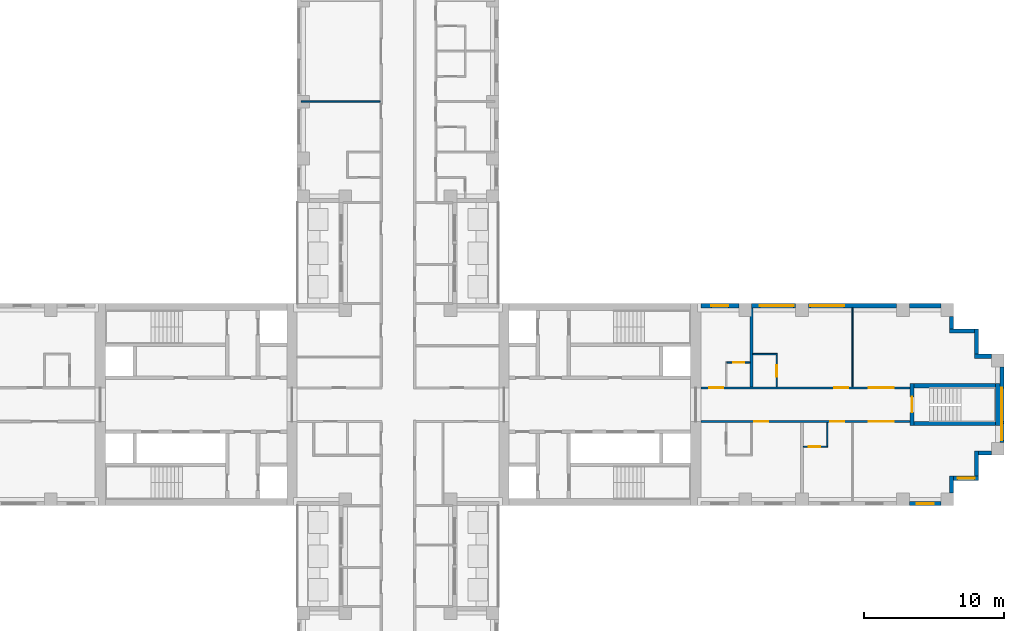
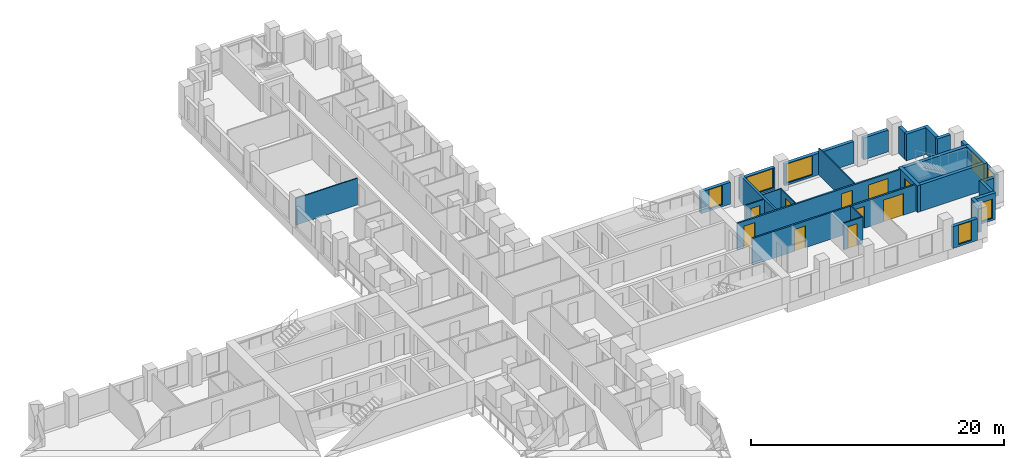
# One storey, part 10 of 15: 28 walls, 10 doors, 7 windows, 17 openings.
"""IFC4 building model written with IfcOpenShell, lengths in metres."""

from ifc_helpers import new_model, si_unit, direction, frame, frame_2d, origin, place, context, subcontext, project, spatial, rectangle, extrude, material, layer, layer_set, type_object, element, fill, save


model = new_model("IFC4")

# Units and contexts
model_context = context("Model", 3, precision=1e-05, world=origin(), true_north=direction((0.0, 1.0)))
body_context = subcontext(model_context, "Body", "Model", "MODEL_VIEW")
ifc_project = project(units=[si_unit("LENGTHUNIT", "METRE"), si_unit("AREAUNIT", "SQUARE_METRE"), si_unit("VOLUMEUNIT", "CUBIC_METRE"), si_unit("PLANEANGLEUNIT", "RADIAN"), si_unit("MASSUNIT", "GRAM", prefix="KILO")], contexts=[model_context])

# Site, building, storey
site_placement = place(None, origin())
site = spatial("IfcSite", under=ifc_project, at=site_placement, CompositionType="ELEMENT")
building_placement = place(site_placement, origin())
building = spatial("IfcBuilding", under=site, at=building_placement, Name="Fustian Cross Tower", CompositionType="ELEMENT")
storey_placement = place(building_placement, frame((0.0, 0.0, 41.699951171875)))
storey = spatial("IfcBuildingStorey", under=building, at=storey_placement, Name="L12", CompositionType="ELEMENT", Elevation=41.699951171875)

# Wall, openings, doors
ifc_material_1 = material(Name="Plasterboard on steel stud", Category="steel")
ifc_layer_1 = layer(ifc_material_1, 0.14990234375)
ifc_layer_set_1 = layer_set([ifc_layer_1], Name="Plasterboard on steel stud")
wall_type_1 = type_object("IfcWallType", Name="COMPARTMENT WALL 150 EI 60", PredefinedType="PARTITIONING", material=ifc_layer_set_1)
wall_1_placement = place(storey_placement, frame((21.60009765625, -1.199951171875, 0.0), z_axis=(0.0, 0.0, 1.0), x_axis=(1.0, 0.0, 0.0)))
wall_1 = element("IfcWall", 1, at=wall_1_placement, inside=storey, type_object=wall_type_1, Name="Partition 80", PredefinedType="PARTITIONING", context=body_context, shape_type="SweptSolid", body=[
    extrude(rectangle(XDim=14.89990234375, YDim=0.14990234375, at=frame_2d((7.449951171875, 0.0))), origin(), (0.0, 0.0, 1.0), 2.574951171875),
])
opening_1_placement = place(wall_1_placement, frame((3.800048828125, 0.0, 0.0)))
opening_1 = element("IfcOpeningElement", 2, at=opening_1_placement, cuts=wall_1, Name="Opening D07016", PredefinedType="OPENING", context=body_context, shape_type="SweptSolid", body=[
    extrude(rectangle(XDim=1.0, YDim=2.10009765625, at=frame_2d((0.5, 1.050048828125))), frame((0.0, 0.0849609375, 0.0), z_axis=(0.0, -1.0, 0.0), x_axis=(1.0, 0.0, 0.0)), (0.0, 0.0, 1.0), 0.169921875),
])
opening_2_placement = place(wall_1_placement, frame((9.199951171875, 0.0, 0.0)))
opening_2 = element("IfcOpeningElement", 3, at=opening_2_placement, cuts=wall_1, Name="Opening D07018", PredefinedType="OPENING", context=body_context, shape_type="SweptSolid", body=[
    extrude(rectangle(XDim=1.0, YDim=2.10009765625, at=frame_2d((0.5, 1.050048828125))), frame((0.0, 0.0849609375, 0.0), z_axis=(0.0, -1.0, 0.0), x_axis=(1.0, 0.0, 0.0)), (0.0, 0.0, 1.0), 0.169921875),
])
opening_3_placement = place(wall_1_placement, frame((11.949951171875, 0.0, 0.0)))
opening_3 = element("IfcOpeningElement", 4, at=opening_3_placement, cuts=wall_1, Name="Opening D07019", PredefinedType="OPENING", context=body_context, shape_type="SweptSolid", body=[
    extrude(rectangle(XDim=1.800048828125, YDim=2.10009765625, at=frame_2d((0.89990234375, 1.050048828125))), frame((0.0, 0.0849609375, 0.0), z_axis=(0.0, -1.0, 0.0), x_axis=(1.0, 0.0, 0.0)), (0.0, 0.0, 1.0), 0.169921875),
])
ifc_material_2 = material(Name="Timber fire door set", Category="wood")
door_type_1 = type_object("IfcDoorType", Name="FIRE DOUBLE DOOR 1800 FD30S", OperationType="DOUBLE_DOOR_DOUBLE_SWING", PredefinedType="DOOR", material=ifc_material_2)
door_1_placement = place(opening_3_placement, origin())
door_1 = element("IfcDoor", 5, at=door_1_placement, inside=storey, type_object=door_type_1, Name="Door D07019", OperationType="DOUBLE_DOOR_DOUBLE_SWING", OverallHeight=2.10009765625, OverallWidth=1.800048828125, PredefinedType="DOOR", context=body_context, shape_type="SweptSolid", body=[
    extrude(rectangle(XDim=1.800048828125, YDim=2.10009765625, at=frame_2d((0.89990234375, 1.050048828125))), frame((0.0, 0.02490234375, 0.0), z_axis=(0.0, -1.0, 0.0), x_axis=(1.0, 0.0, 0.0)), (0.0, 0.0, 1.0), 0.050048828125),
])
fill(opening_3, door_1)
ifc_material_3 = material(Name="Timber fire door set", Category="wood")
door_type_2 = type_object("IfcDoorType", Name="FIRE SWING DOOR 1000 FD30S", OperationType="SINGLE_SWING_LEFT", PredefinedType="DOOR", material=ifc_material_3)
door_2_placement = place(opening_1_placement, frame((1.0, 0.0, 0.0), z_axis=(0.0, 0.0, 1.0), x_axis=(-1.0, 0.0, 0.0)))
door_2 = element("IfcDoor", 6, at=door_2_placement, inside=storey, type_object=door_type_2, Name="Door D07016", OperationType="SINGLE_SWING_RIGHT", OverallHeight=2.10009765625, OverallWidth=1.0, PredefinedType="DOOR", context=body_context, shape_type="SweptSolid", body=[
    extrude(rectangle(XDim=1.0, YDim=2.10009765625, at=frame_2d((0.5, 1.050048828125))), frame((0.0, 0.02490234375, 0.0), z_axis=(0.0, -1.0, 0.0), x_axis=(1.0, 0.0, 0.0)), (0.0, 0.0, 1.0), 0.050048828125),
])
fill(opening_1, door_2)
door_3_placement = place(opening_2_placement, frame((1.0, 0.0, 0.0), z_axis=(0.0, 0.0, 1.0), x_axis=(-1.0, 0.0, 0.0)))
door_3 = element("IfcDoor", 7, at=door_3_placement, inside=storey, type_object=door_type_2, Name="Door D07018", OperationType="SINGLE_SWING_RIGHT", OverallHeight=2.10009765625, OverallWidth=1.0, PredefinedType="DOOR", context=body_context, shape_type="SweptSolid", body=[
    extrude(rectangle(XDim=1.0, YDim=2.10009765625, at=frame_2d((0.5, 1.050048828125))), frame((0.0, 0.02490234375, 0.0), z_axis=(0.0, -1.0, 0.0), x_axis=(1.0, 0.0, 0.0)), (0.0, 0.0, 1.0), 0.050048828125),
])
fill(opening_2, door_3)

wall_2_placement = place(storey_placement, frame((21.60009765625, 1.199951171875, 0.0), z_axis=(0.0, 0.0, 1.0), x_axis=(1.0, 0.0, 0.0)))
wall_2 = element("IfcWall", 8, at=wall_2_placement, inside=storey, type_object=wall_type_1, Name="Partition 81", PredefinedType="PARTITIONING", context=body_context, shape_type="SweptSolid", body=[
    extrude(rectangle(XDim=14.89990234375, YDim=0.14990234375, at=frame_2d((7.449951171875, 0.0))), origin(), (0.0, 0.0, 1.0), 2.574951171875),
])
opening_4_placement = place(wall_2_placement, frame((0.60009765625, 0.0, 0.0)))
opening_4 = element("IfcOpeningElement", 9, at=opening_4_placement, cuts=wall_2, Name="Opening D07011", PredefinedType="OPENING", context=body_context, shape_type="SweptSolid", body=[
    extrude(rectangle(XDim=1.0, YDim=2.10009765625, at=frame_2d((0.5, 1.050048828125))), frame((0.0, 0.0849609375, 0.0), z_axis=(0.0, -1.0, 0.0), x_axis=(1.0, 0.0, 0.0)), (0.0, 0.0, 1.0), 0.169921875),
])
opening_5_placement = place(wall_2_placement, frame((9.489990234375, 0.0, 0.0)))
opening_5 = element("IfcOpeningElement", 10, at=opening_5_placement, cuts=wall_2, Name="Opening D07013", PredefinedType="OPENING", context=body_context, shape_type="SweptSolid", body=[
    extrude(rectangle(XDim=1.0, YDim=2.10009765625, at=frame_2d((0.5, 1.050048828125))), frame((0.0, 0.0849609375, 0.0), z_axis=(0.0, -1.0, 0.0), x_axis=(1.0, 0.0, 0.0)), (0.0, 0.0, 1.0), 0.169921875),
])
opening_6_placement = place(wall_2_placement, frame((11.949951171875, 0.0, 0.0)))
opening_6 = element("IfcOpeningElement", 11, at=opening_6_placement, cuts=wall_2, Name="Opening D07014", PredefinedType="OPENING", context=body_context, shape_type="SweptSolid", body=[
    extrude(rectangle(XDim=1.800048828125, YDim=2.10009765625, at=frame_2d((0.89990234375, 1.050048828125))), frame((0.0, 0.0849609375, 0.0), z_axis=(0.0, -1.0, 0.0), x_axis=(1.0, 0.0, 0.0)), (0.0, 0.0, 1.0), 0.169921875),
])
door_4_placement = place(opening_6_placement, frame((1.800048828125, 0.0, 0.0), z_axis=(0.0, 0.0, 1.0), x_axis=(-1.0, 0.0, 0.0)))
door_4 = element("IfcDoor", 12, at=door_4_placement, inside=storey, type_object=door_type_1, Name="Door D07014", OperationType="DOUBLE_DOOR_DOUBLE_SWING", OverallHeight=2.10009765625, OverallWidth=1.800048828125, PredefinedType="DOOR", context=body_context, shape_type="SweptSolid", body=[
    extrude(rectangle(XDim=1.800048828125, YDim=2.10009765625, at=frame_2d((0.89990234375, 1.050048828125))), frame((0.0, 0.02490234375, 0.0), z_axis=(0.0, -1.0, 0.0), x_axis=(1.0, 0.0, 0.0)), (0.0, 0.0, 1.0), 0.050048828125),
])
fill(opening_6, door_4)
door_5_placement = place(opening_4_placement, origin())
door_5 = element("IfcDoor", 13, at=door_5_placement, inside=storey, type_object=door_type_2, Name="Door D07011", OperationType="SINGLE_SWING_RIGHT", OverallHeight=2.10009765625, OverallWidth=1.0, PredefinedType="DOOR", context=body_context, shape_type="SweptSolid", body=[
    extrude(rectangle(XDim=1.0, YDim=2.10009765625, at=frame_2d((0.5, 1.050048828125))), frame((0.0, 0.02490234375, 0.0), z_axis=(0.0, -1.0, 0.0), x_axis=(1.0, 0.0, 0.0)), (0.0, 0.0, 1.0), 0.050048828125),
])
fill(opening_4, door_5)
door_6_placement = place(opening_5_placement, origin())
door_6 = element("IfcDoor", 14, at=door_6_placement, inside=storey, type_object=door_type_2, Name="Door D07013", OperationType="SINGLE_SWING_RIGHT", OverallHeight=2.10009765625, OverallWidth=1.0, PredefinedType="DOOR", context=body_context, shape_type="SweptSolid", body=[
    extrude(rectangle(XDim=1.0, YDim=2.10009765625, at=frame_2d((0.5, 1.050048828125))), frame((0.0, 0.02490234375, 0.0), z_axis=(0.0, -1.0, 0.0), x_axis=(1.0, 0.0, 0.0)), (0.0, 0.0, 1.0), 0.050048828125),
])
fill(opening_5, door_6)

# Wall
ifc_material_4 = material(Name="Plasterboard on steel stud", Category="steel")
ifc_layer_2 = layer(ifc_material_4, 0.10009765625)
ifc_layer_set_2 = layer_set([ifc_layer_2], Name="Plasterboard on steel stud")
wall_type_2 = type_object("IfcWallType", Name="PARTITION 100 STUD", PredefinedType="PARTITIONING", material=ifc_layer_set_2)
wall_3_placement = place(storey_placement, frame((-6.89990234375, 21.60009765625, 0.0), z_axis=(0.0, 0.0, 1.0), x_axis=(1.0, 0.0, 0.0)))
element("IfcWall", 15, at=wall_3_placement, inside=storey, type_object=wall_type_2, Name="Partition 19", PredefinedType="PARTITIONING", context=body_context, shape_type="SweptSolid", body=[
    extrude(rectangle(XDim=5.625, YDim=0.10009765625, at=frame_2d((2.8125, 0.0))), origin(), (0.0, 0.0, 1.0), 2.574951171875),
])

# Wall, opening, door
wall_4_placement = place(storey_placement, frame((23.449951171875, 3.0, 0.0), z_axis=(0.0, 0.0, 1.0), x_axis=(1.0, 0.0, 0.0)))
wall_4 = element("IfcWall", 16, at=wall_4_placement, inside=storey, type_object=wall_type_2, Name="Partition 85", PredefinedType="PARTITIONING", context=body_context, shape_type="SweptSolid", body=[
    extrude(rectangle(XDim=1.650146484375, YDim=0.10009765625, at=frame_2d((0.8251953125, 0.0))), origin(), (0.0, 0.0, 1.0), 2.574951171875),
])
opening_7_placement = place(wall_4_placement, frame((0.449951171875, 0.0, 0.0)))
opening_7 = element("IfcOpeningElement", 17, at=opening_7_placement, cuts=wall_4, Name="Opening D07010", PredefinedType="OPENING", context=body_context, shape_type="SweptSolid", body=[
    extrude(rectangle(XDim=0.800048828125, YDim=2.10009765625, at=frame_2d((0.39990234375, 1.050048828125))), frame((0.0, 0.06005859375, 0.0), z_axis=(0.0, -1.0, 0.0), x_axis=(1.0, 0.0, 0.0)), (0.0, 0.0, 1.0), 0.1201171875),
])
ifc_material_5 = material(Name="Painted timber", Category="wood")
door_type_3 = type_object("IfcDoorType", Name="SWING DOOR 800", OperationType="SINGLE_SWING_LEFT", PredefinedType="DOOR", material=ifc_material_5)
door_7_placement = place(opening_7_placement, frame((0.800048828125, 0.0, 0.0), z_axis=(0.0, 0.0, 1.0), x_axis=(-1.0, 0.0, 0.0)))
door_7 = element("IfcDoor", 18, at=door_7_placement, inside=storey, type_object=door_type_3, Name="Door D07010", OperationType="SINGLE_SWING_LEFT", OverallHeight=2.10009765625, OverallWidth=0.800048828125, PredefinedType="DOOR", context=body_context, shape_type="SweptSolid", body=[
    extrude(rectangle(XDim=0.800048828125, YDim=2.10009765625, at=frame_2d((0.39990234375, 1.050048828125))), frame((0.0, 0.02490234375, 0.0), z_axis=(0.0, -1.0, 0.0), x_axis=(1.0, 0.0, 0.0)), (0.0, 0.0, 1.0), 0.050048828125),
])
fill(opening_7, door_7)

# Wall
wall_5_placement = place(storey_placement, frame((25.300048828125, 3.60009765625, 0.0), z_axis=(0.0, 0.0, 1.0), x_axis=(1.0, 0.0, 0.0)))
element("IfcWall", 19, at=wall_5_placement, inside=storey, type_object=wall_type_2, Name="Partition 88", PredefinedType="PARTITIONING", context=body_context, shape_type="SweptSolid", body=[
    extrude(rectangle(XDim=1.75, YDim=0.10009765625, at=frame_2d((0.875, 0.0))), origin(), (0.0, 0.0, 1.0), 2.574951171875),
])

# Wall, opening, door
wall_6_placement = place(storey_placement, frame((27.0, 1.27490234375, 0.0), z_axis=(0.0, 0.0, 1.0), x_axis=(0.0, 1.0, 0.0)))
wall_6 = element("IfcWall", 20, at=wall_6_placement, inside=storey, type_object=wall_type_2, Name="Partition 89", PredefinedType="PARTITIONING", context=body_context, shape_type="SweptSolid", body=[
    extrude(rectangle(XDim=2.275146484375, YDim=0.10009765625, at=frame_2d((1.1376953125, 0.0))), origin(), (0.0, 0.0, 1.0), 2.574951171875),
])
opening_8_placement = place(wall_6_placement, frame((0.72509765625, 0.0, 0.0)))
opening_8 = element("IfcOpeningElement", 21, at=opening_8_placement, cuts=wall_6, Name="Opening D07012", PredefinedType="OPENING", context=body_context, shape_type="SweptSolid", body=[
    extrude(rectangle(XDim=0.800048828125, YDim=2.10009765625, at=frame_2d((0.39990234375, 1.050048828125))), frame((0.0, 0.06005859375, 0.0), z_axis=(0.0, -1.0, 0.0), x_axis=(1.0, 0.0, 0.0)), (0.0, 0.0, 1.0), 0.1201171875),
])
door_8_placement = place(opening_8_placement, origin())
door_8 = element("IfcDoor", 22, at=door_8_placement, inside=storey, type_object=door_type_3, Name="Door D07012", OperationType="SINGLE_SWING_LEFT", OverallHeight=2.10009765625, OverallWidth=0.800048828125, PredefinedType="DOOR", context=body_context, shape_type="SweptSolid", body=[
    extrude(rectangle(XDim=0.800048828125, YDim=2.10009765625, at=frame_2d((0.39990234375, 1.050048828125))), frame((0.0, 0.02490234375, 0.0), z_axis=(0.0, -1.0, 0.0), x_axis=(1.0, 0.0, 0.0)), (0.0, 0.0, 1.0), 0.050048828125),
])
fill(opening_8, door_8)

wall_7_placement = place(storey_placement, frame((28.89990234375, -3.0, 0.0), z_axis=(0.0, 0.0, 1.0), x_axis=(1.0, 0.0, 0.0)))
wall_7 = element("IfcWall", 23, at=wall_7_placement, inside=storey, type_object=wall_type_2, Name="Partition 91", PredefinedType="PARTITIONING", context=body_context, shape_type="SweptSolid", body=[
    extrude(rectangle(XDim=1.75, YDim=0.10009765625, at=frame_2d((0.875, 0.0))), origin(), (0.0, 0.0, 1.0), 2.574951171875),
])
opening_9_placement = place(wall_7_placement, frame((0.39990234375, 0.0, 0.0)))
opening_9 = element("IfcOpeningElement", 24, at=opening_9_placement, cuts=wall_7, Name="Opening D07017", PredefinedType="OPENING", context=body_context, shape_type="SweptSolid", body=[
    extrude(rectangle(XDim=0.800048828125, YDim=2.10009765625, at=frame_2d((0.39990234375, 1.050048828125))), frame((0.0, 0.06005859375, 0.0), z_axis=(0.0, -1.0, 0.0), x_axis=(1.0, 0.0, 0.0)), (0.0, 0.0, 1.0), 0.1201171875),
])
door_9_placement = place(opening_9_placement, origin())
door_9 = element("IfcDoor", 25, at=door_9_placement, inside=storey, type_object=door_type_3, Name="Door D07017", OperationType="SINGLE_SWING_RIGHT", OverallHeight=2.10009765625, OverallWidth=0.800048828125, PredefinedType="DOOR", context=body_context, shape_type="SweptSolid", body=[
    extrude(rectangle(XDim=0.800048828125, YDim=2.10009765625, at=frame_2d((0.39990234375, 1.050048828125))), frame((0.0, 0.02490234375, 0.0), z_axis=(0.0, -1.0, 0.0), x_axis=(1.0, 0.0, 0.0)), (0.0, 0.0, 1.0), 0.050048828125),
])
fill(opening_9, door_9)

# Walls
wall_8_placement = place(storey_placement, frame((30.60009765625, -2.949951171875, 0.0), z_axis=(0.0, 0.0, 1.0), x_axis=(0.0, 1.0, 0.0)))
element("IfcWall", 26, at=wall_8_placement, inside=storey, type_object=wall_type_2, Name="Partition 92", PredefinedType="PARTITIONING", context=body_context, shape_type="SweptSolid", body=[
    extrude(rectangle(XDim=1.675048828125, YDim=0.10009765625, at=frame_2d((0.83740234375, 0.0))), origin(), (0.0, 0.0, 1.0), 2.574951171875),
])
wall_9_placement = place(storey_placement, frame((32.39990234375, 1.27490234375, 0.0), z_axis=(0.0, 0.0, 1.0), x_axis=(0.0, 1.0, 0.0)))
element("IfcWall", 27, at=wall_9_placement, inside=storey, type_object=wall_type_2, Name="Partition 94", PredefinedType="PARTITIONING", context=body_context, shape_type="SweptSolid", body=[
    extrude(rectangle(XDim=5.625, YDim=0.10009765625, at=frame_2d((2.8125, 0.0))), origin(), (0.0, 0.0, 1.0), 2.574951171875),
])
ifc_material_6 = material(Name="Plasterboard on steel stud", Category="steel")
ifc_layer_3 = layer(ifc_material_6, 0.199951171875)
ifc_layer_set_3 = layer_set([ifc_layer_3], Name="Plasterboard on steel stud")
wall_type_3 = type_object("IfcWallType", Name="PARTY WALL 200 EI 60", PredefinedType="PARTITIONING", material=ifc_layer_set_3)
wall_10_placement = place(storey_placement, frame((25.199951171875, 1.27490234375, 0.0), z_axis=(0.0, 0.0, 1.0), x_axis=(0.0, 1.0, 0.0)))
element("IfcWall", 28, at=wall_10_placement, inside=storey, type_object=wall_type_3, Name="Partition 87", PredefinedType="PARTITIONING", context=body_context, shape_type="SweptSolid", body=[
    extrude(rectangle(XDim=5.625, YDim=0.199951171875, at=frame_2d((2.8125, 0.0))), origin(), (0.0, 0.0, 1.0), 2.574951171875),
])

# Wall, opening, door
ifc_material_7 = material(Name="Concrete C50/60", Category="concrete")
ifc_layer_4 = layer(ifc_material_7, 0.300048828125)
ifc_layer_set_4 = layer_set([ifc_layer_4], Name="Concrete C50/60")
wall_type_4 = type_object("IfcWallType", Name="STAIR ENCLOSURE WALL 300 C50/60", PredefinedType="SHEAR", material=ifc_layer_set_4)
wall_11_placement = place(storey_placement, frame((36.64990234375, -1.5, 0.0), z_axis=(0.0, 0.0, 1.0), x_axis=(0.0, 1.0, 0.0)))
wall_11 = element("IfcWall", 29, at=wall_11_placement, inside=storey, type_object=wall_type_4, Name="Stair enclosure wall", PredefinedType="SHEAR", context=body_context, shape_type="SweptSolid", body=[
    extrude(rectangle(XDim=3.0, YDim=0.300048828125, at=frame_2d((1.5, 0.0))), origin(), (0.0, 0.0, 1.0), 2.574951171875),
])
opening_10_placement = place(wall_11_placement, frame((0.949951171875, 0.0, 0.0)))
opening_10 = element("IfcOpeningElement", 30, at=opening_10_placement, cuts=wall_11, Name="Opening CD-04-31", PredefinedType="OPENING", context=body_context, shape_type="SweptSolid", body=[
    extrude(rectangle(XDim=1.10009765625, YDim=2.10009765625, at=frame_2d((0.550048828125, 1.050048828125))), frame((0.0, 0.159912109375, 0.0), z_axis=(0.0, -1.0, 0.0), x_axis=(1.0, 0.0, 0.0)), (0.0, 0.0, 1.0), 0.320068359375),
])
ifc_material_8 = material(Name="Steel", Category="steel")
door_type_4 = type_object("IfcDoorType", Name="FIRE DOOR FD60S 1100X2100", OperationType="SINGLE_SWING_LEFT", PredefinedType="DOOR", material=ifc_material_8)
door_10_placement = place(opening_10_placement, frame((1.10009765625, 0.0, 0.0), z_axis=(0.0, 0.0, 1.0), x_axis=(-1.0, 0.0, 0.0)))
door_10 = element("IfcDoor", 31, at=door_10_placement, inside=storey, type_object=door_type_4, Name="Core door CD-04-31", OperationType="SINGLE_SWING_RIGHT", OverallHeight=2.10009765625, OverallWidth=1.10009765625, PredefinedType="DOOR", context=body_context, shape_type="SweptSolid", body=[
    extrude(rectangle(XDim=1.10009765625, YDim=2.10009765625, at=frame_2d((0.550048828125, 1.050048828125))), frame((0.0, 0.02490234375, 0.0), z_axis=(0.0, -1.0, 0.0), x_axis=(1.0, 0.0, 0.0)), (0.0, 0.0, 1.0), 0.050048828125),
])
fill(opening_10, door_10)

# Walls
wall_12_placement = place(storey_placement, frame((42.75, -1.5, 0.0), z_axis=(0.0, 0.0, 1.0), x_axis=(0.0, 1.0, 0.0)))
element("IfcWall", 32, at=wall_12_placement, inside=storey, type_object=wall_type_4, Name="Stair enclosure wall", PredefinedType="SHEAR", context=body_context, shape_type="SweptSolid", body=[
    extrude(rectangle(XDim=3.0, YDim=0.300048828125, at=frame_2d((1.5, 0.0))), origin(), (0.0, 0.0, 1.0), 2.574951171875),
])
for number, where, z_axis, x_axis, name in (
    (33, (36.800048828125, -1.35009765625, 0.0), (0.0, 0.0, 1.0), (1.0, 0.0, 0.0), "Stair enclosure wall"),
    (34, (36.800048828125, 1.35009765625, 0.0), (0.0, 0.0, 1.0), (1.0, 0.0, 0.0), "Stair enclosure wall"),
):
    element("IfcWall", number, at=place(storey_placement, frame(where, z_axis=z_axis, x_axis=x_axis)), inside=storey, type_object=wall_type_4, Name=name, PredefinedType="SHEAR", context=body_context, shape_type="SweptSolid", body=[
        extrude(rectangle(XDim=5.800048828125, YDim=0.300048828125, at=frame_2d((2.89990234375, 0.0))), origin(), (0.0, 0.0, 1.0), 2.574951171875),
    ])

# Wall, opening, window
ifc_material_9 = material(Name="Dark aluminium cladding on insulated backing wall", Category="aluminium")
ifc_layer_5 = layer(ifc_material_9, 0.300048828125)
ifc_layer_set_5 = layer_set([ifc_layer_5], Name="Dark aluminium cladding on insulated backing wall")
wall_type_5 = type_object("IfcWallType", Name="XW1 EXTERNAL WALL 300", PredefinedType="SOLIDWALL", material=ifc_layer_set_5)
wall_13_placement = place(storey_placement, frame((36.449951171875, -7.050048828125, 0.0), z_axis=(0.0, 0.0, 1.0), x_axis=(1.0, 0.0, 0.0)))
wall_13 = element("IfcWall", 35, at=wall_13_placement, inside=storey, type_object=wall_type_5, Name="External wall", PredefinedType="SOLIDWALL", context=body_context, shape_type="SweptSolid", body=[
    extrude(rectangle(XDim=2.25, YDim=0.300048828125, at=frame_2d((1.125, 0.0))), origin(), (0.0, 0.0, 1.0), 2.10009765625),
])
opening_11_placement = place(wall_13_placement, frame((0.52490234375, 0.0, 0.199951171875)))
opening_11 = element("IfcOpeningElement", 36, at=opening_11_placement, cuts=wall_13, Name="Opening WN3", PredefinedType="OPENING", context=body_context, shape_type="SweptSolid", body=[
    extrude(rectangle(XDim=1.199951171875, YDim=1.85009765625, at=frame_2d((0.60009765625, 0.925048828125))), frame((0.0, 0.159912109375, 0.0), z_axis=(0.0, -1.0, 0.0), x_axis=(1.0, 0.0, 0.0)), (0.0, 0.0, 1.0), 0.320068359375),
])
ifc_material_10 = material(Name="Dark anodised aluminium and double glazing", Category="aluminium")
window_type_1 = type_object("IfcWindowType", Name="WN3 WINDOW 1200X1850", PartitioningType="SINGLE_PANEL", PredefinedType="WINDOW", material=ifc_material_10)
window_1_placement = place(opening_11_placement, origin())
window_1 = element("IfcWindow", 37, at=window_1_placement, inside=storey, type_object=window_type_1, Name="Window", OverallHeight=1.85009765625, OverallWidth=1.199951171875, PartitioningType="SINGLE_PANEL", PredefinedType="WINDOW", context=body_context, shape_type="SweptSolid", body=[
    extrude(rectangle(XDim=1.199951171875, YDim=1.85009765625, at=frame_2d((0.60009765625, 0.925048828125))), frame((0.0, 0.030029296875, 0.0), z_axis=(0.0, -1.0, 0.0), x_axis=(1.0, 0.0, 0.0)), (0.0, 0.0, 1.0), 0.06005859375),
])
fill(opening_11, window_1)

# Wall
wall_14_placement = place(storey_placement, frame((39.449951171875, -6.300048828125, 0.0), z_axis=(0.0, 0.0, 1.0), x_axis=(0.0, 1.0, 0.0)))
element("IfcWall", 38, at=wall_14_placement, inside=storey, type_object=wall_type_5, Name="External wall", PredefinedType="SOLIDWALL", context=body_context, shape_type="SweptSolid", body=[
    extrude(rectangle(XDim=1.199951171875, YDim=0.300048828125, at=frame_2d((0.60009765625, 0.0))), origin(), (0.0, 0.0, 1.0), 2.574951171875),
])

# Wall, opening, window
wall_15_placement = place(storey_placement, frame((39.60009765625, -5.25, 0.0), z_axis=(0.0, 0.0, 1.0), x_axis=(1.0, 0.0, 0.0)))
wall_15 = element("IfcWall", 39, at=wall_15_placement, inside=storey, type_object=wall_type_5, Name="External wall", PredefinedType="SOLIDWALL", context=body_context, shape_type="SweptSolid", body=[
    extrude(rectangle(XDim=1.7998046875, YDim=0.300048828125, at=frame_2d((0.89990234375, 0.0))), origin(), (0.0, 0.0, 1.0), 2.574951171875),
])
opening_12_placement = place(wall_15_placement, frame((0.300048828125, 0.0, 0.199951171875)))
opening_12 = element("IfcOpeningElement", 40, at=opening_12_placement, cuts=wall_15, Name="Opening WN3", PredefinedType="OPENING", context=body_context, shape_type="SweptSolid", body=[
    extrude(rectangle(XDim=1.199951171875, YDim=1.85009765625, at=frame_2d((0.60009765625, 0.925048828125))), frame((0.0, 0.159912109375, 0.0), z_axis=(0.0, -1.0, 0.0), x_axis=(1.0, 0.0, 0.0)), (0.0, 0.0, 1.0), 0.320068359375),
])
window_2_placement = place(opening_12_placement, origin())
window_2 = element("IfcWindow", 41, at=window_2_placement, inside=storey, type_object=window_type_1, Name="Window", OverallHeight=1.85009765625, OverallWidth=1.199951171875, PartitioningType="SINGLE_PANEL", PredefinedType="WINDOW", context=body_context, shape_type="SweptSolid", body=[
    extrude(rectangle(XDim=1.199951171875, YDim=1.85009765625, at=frame_2d((0.60009765625, 0.925048828125))), frame((0.0, 0.030029296875, 0.0), z_axis=(0.0, -1.0, 0.0), x_axis=(1.0, 0.0, 0.0)), (0.0, 0.0, 1.0), 0.06005859375),
])
fill(opening_12, window_2)

# Walls
wall_16_placement = place(storey_placement, frame((41.25, -5.10009765625, 0.0), z_axis=(0.0, 0.0, 1.0), x_axis=(0.0, 1.0, 0.0)))
element("IfcWall", 42, at=wall_16_placement, inside=storey, type_object=wall_type_5, Name="External wall", PredefinedType="SOLIDWALL", context=body_context, shape_type="SweptSolid", body=[
    extrude(rectangle(XDim=1.800048828125, YDim=0.300048828125, at=frame_2d((0.89990234375, 0.0))), origin(), (0.0, 0.0, 1.0), 2.574951171875),
])
wall_17_placement = place(storey_placement, frame((41.39990234375, -3.449951171875, 0.0), z_axis=(0.0, 0.0, 1.0), x_axis=(1.0, 0.0, 0.0)))
element("IfcWall", 43, at=wall_17_placement, inside=storey, type_object=wall_type_5, Name="External wall", PredefinedType="SOLIDWALL", context=body_context, shape_type="SweptSolid", body=[
    extrude(rectangle(XDim=0.900146484375, YDim=0.300048828125, at=frame_2d((0.4501953125, 0.0))), origin(), (0.0, 0.0, 1.0), 2.574951171875),
])

# Wall, openings, windows
wall_18_placement = place(storey_placement, frame((43.050048828125, -2.699951171875, 0.0), z_axis=(0.0, 0.0, 1.0), x_axis=(0.0, 1.0, 0.0)))
wall_18 = element("IfcWall", 44, at=wall_18_placement, inside=storey, type_object=wall_type_5, Name="External wall", PredefinedType="SOLIDWALL", context=body_context, shape_type="SweptSolid", body=[
    extrude(rectangle(XDim=5.39990234375, YDim=0.300048828125, at=frame_2d((2.699951171875, 0.0))), origin(), (0.0, 0.0, 1.0), 2.10009765625),
])
opening_13_placement = place(wall_18_placement, frame((1.5, 0.0, 0.199951171875)))
opening_13 = element("IfcOpeningElement", 45, at=opening_13_placement, cuts=wall_18, Name="Opening WN1", PredefinedType="OPENING", context=body_context, shape_type="SweptSolid", body=[
    extrude(rectangle(XDim=2.39990234375, YDim=1.85009765625, at=frame_2d((1.199951171875, 0.925048828125))), frame((0.0, 0.159912109375, 0.0), z_axis=(0.0, -1.0, 0.0), x_axis=(1.0, 0.0, 0.0)), (0.0, 0.0, 1.0), 0.320068359375),
])
opening_14_placement = place(wall_18_placement, frame((0.14990234375, 0.0, 0.199951171875)))
opening_14 = element("IfcOpeningElement", 46, at=opening_14_placement, cuts=wall_18, Name="Opening WN3", PredefinedType="OPENING", context=body_context, shape_type="SweptSolid", body=[
    extrude(rectangle(XDim=1.199951171875, YDim=1.85009765625, at=frame_2d((0.60009765625, 0.925048828125))), frame((0.0, 0.159912109375, 0.0), z_axis=(0.0, -1.0, 0.0), x_axis=(1.0, 0.0, 0.0)), (0.0, 0.0, 1.0), 0.320068359375),
])
ifc_material_11 = material(Name="Dark anodised aluminium and double glazing", Category="aluminium")
window_type_2 = type_object("IfcWindowType", Name="WN1 WINDOW 2400X1850", PartitioningType="SINGLE_PANEL", PredefinedType="WINDOW", material=ifc_material_11)
window_3_placement = place(opening_13_placement, origin())
window_3 = element("IfcWindow", 47, at=window_3_placement, inside=storey, type_object=window_type_2, Name="Window", OverallHeight=1.85009765625, OverallWidth=2.39990234375, PartitioningType="SINGLE_PANEL", PredefinedType="WINDOW", context=body_context, shape_type="SweptSolid", body=[
    extrude(rectangle(XDim=2.39990234375, YDim=1.85009765625, at=frame_2d((1.199951171875, 0.925048828125))), frame((0.0, 0.030029296875, 0.0), z_axis=(0.0, -1.0, 0.0), x_axis=(1.0, 0.0, 0.0)), (0.0, 0.0, 1.0), 0.06005859375),
])
fill(opening_13, window_3)
window_4_placement = place(opening_14_placement, origin())
window_4 = element("IfcWindow", 48, at=window_4_placement, inside=storey, type_object=window_type_1, Name="Window", OverallHeight=1.85009765625, OverallWidth=1.199951171875, PartitioningType="SINGLE_PANEL", PredefinedType="WINDOW", context=body_context, shape_type="SweptSolid", body=[
    extrude(rectangle(XDim=1.199951171875, YDim=1.85009765625, at=frame_2d((0.60009765625, 0.925048828125))), frame((0.0, 0.030029296875, 0.0), z_axis=(0.0, -1.0, 0.0), x_axis=(1.0, 0.0, 0.0)), (0.0, 0.0, 1.0), 0.06005859375),
])
fill(opening_14, window_4)

# Walls
wall_19_placement = place(storey_placement, frame((42.300048828125, 3.449951171875, 0.0), z_axis=(0.0, 0.0, 1.0), x_axis=(-1.0, 0.0, 0.0)))
element("IfcWall", 49, at=wall_19_placement, inside=storey, type_object=wall_type_5, Name="External wall", PredefinedType="SOLIDWALL", context=body_context, shape_type="SweptSolid", body=[
    extrude(rectangle(XDim=1.199951171875, YDim=0.300048828125, at=frame_2d((0.60009765625, 0.0))), origin(), (0.0, 0.0, 1.0), 2.574951171875),
])
wall_20_placement = place(storey_placement, frame((41.25, 3.60009765625, 0.0), z_axis=(0.0, 0.0, 1.0), x_axis=(0.0, 1.0, 0.0)))
element("IfcWall", 50, at=wall_20_placement, inside=storey, type_object=wall_type_5, Name="External wall", PredefinedType="SOLIDWALL", context=body_context, shape_type="SweptSolid", body=[
    extrude(rectangle(XDim=1.7998046875, YDim=0.300048828125, at=frame_2d((0.89990234375, 0.0))), origin(), (0.0, 0.0, 1.0), 2.574951171875),
])
wall_21_placement = place(storey_placement, frame((41.10009765625, 5.25, 0.0), z_axis=(0.0, 0.0, 1.0), x_axis=(-1.0, 0.0, 0.0)))
element("IfcWall", 51, at=wall_21_placement, inside=storey, type_object=wall_type_5, Name="External wall", PredefinedType="SOLIDWALL", context=body_context, shape_type="SweptSolid", body=[
    extrude(rectangle(XDim=1.800048828125, YDim=0.300048828125, at=frame_2d((0.89990234375, 0.0))), origin(), (0.0, 0.0, 1.0), 2.574951171875),
])
wall_22_placement = place(storey_placement, frame((39.449951171875, 5.39990234375, 0.0), z_axis=(0.0, 0.0, 1.0), x_axis=(0.0, 1.0, 0.0)))
element("IfcWall", 52, at=wall_22_placement, inside=storey, type_object=wall_type_5, Name="External wall", PredefinedType="SOLIDWALL", context=body_context, shape_type="SweptSolid", body=[
    extrude(rectangle(XDim=0.900146484375, YDim=0.300048828125, at=frame_2d((0.4501953125, 0.0))), origin(), (0.0, 0.0, 1.0), 2.574951171875),
])
wall_23_placement = place(storey_placement, frame((38.699951171875, 7.050048828125, 0.0), z_axis=(0.0, 0.0, 1.0), x_axis=(-1.0, 0.0, 0.0)))
element("IfcWall", 53, at=wall_23_placement, inside=storey, type_object=wall_type_5, Name="External wall", PredefinedType="SOLIDWALL", context=body_context, shape_type="SweptSolid", body=[
    extrude(rectangle(XDim=2.25, YDim=0.300048828125, at=frame_2d((1.125, 0.0))), origin(), (0.0, 0.0, 1.0), 2.10009765625),
])

# Wall, opening, window
wall_24_placement = place(storey_placement, frame((35.550048828125, 7.050048828125, 0.0), z_axis=(0.0, 0.0, 1.0), x_axis=(-1.0, 0.0, 0.0)))
wall_24 = element("IfcWall", 54, at=wall_24_placement, inside=storey, type_object=wall_type_5, Name="External wall", PredefinedType="SOLIDWALL", context=body_context, shape_type="SweptSolid", body=[
    extrude(rectangle(XDim=6.300048828125, YDim=0.300048828125, at=frame_2d((3.14990234375, 0.0))), origin(), (0.0, 0.0, 1.0), 2.10009765625),
])
opening_15_placement = place(wall_24_placement, frame((3.75, 0.0, 0.199951171875)))
opening_15 = element("IfcOpeningElement", 55, at=opening_15_placement, cuts=wall_24, Name="Opening WN1", PredefinedType="OPENING", context=body_context, shape_type="SweptSolid", body=[
    extrude(rectangle(XDim=2.39990234375, YDim=1.85009765625, at=frame_2d((1.199951171875, 0.925048828125))), frame((0.0, 0.159912109375, 0.0), z_axis=(0.0, -1.0, 0.0), x_axis=(1.0, 0.0, 0.0)), (0.0, 0.0, 1.0), 0.320068359375),
])
window_5_placement = place(opening_15_placement, origin())
window_5 = element("IfcWindow", 56, at=window_5_placement, inside=storey, type_object=window_type_2, Name="Window", OverallHeight=1.85009765625, OverallWidth=2.39990234375, PartitioningType="SINGLE_PANEL", PredefinedType="WINDOW", context=body_context, shape_type="SweptSolid", body=[
    extrude(rectangle(XDim=2.39990234375, YDim=1.85009765625, at=frame_2d((1.199951171875, 0.925048828125))), frame((0.0, 0.030029296875, 0.0), z_axis=(0.0, -1.0, 0.0), x_axis=(1.0, 0.0, 0.0)), (0.0, 0.0, 1.0), 0.06005859375),
])
fill(opening_15, window_5)

wall_25_placement = place(storey_placement, frame((28.35009765625, 7.050048828125, 0.0), z_axis=(0.0, 0.0, 1.0), x_axis=(-1.0, 0.0, 0.0)))
wall_25 = element("IfcWall", 57, at=wall_25_placement, inside=storey, type_object=wall_type_5, Name="External wall", PredefinedType="SOLIDWALL", context=body_context, shape_type="SweptSolid", body=[
    extrude(rectangle(XDim=3.150146484375, YDim=0.300048828125, at=frame_2d((1.5751953125, 0.0))), origin(), (0.0, 0.0, 1.0), 2.10009765625),
])
opening_16_placement = place(wall_25_placement, frame((0.14990234375, 0.0, 0.199951171875)))
opening_16 = element("IfcOpeningElement", 58, at=opening_16_placement, cuts=wall_25, Name="Opening WN1", PredefinedType="OPENING", context=body_context, shape_type="SweptSolid", body=[
    extrude(rectangle(XDim=2.39990234375, YDim=1.85009765625, at=frame_2d((1.199951171875, 0.925048828125))), frame((0.0, 0.159912109375, 0.0), z_axis=(0.0, -1.0, 0.0), x_axis=(1.0, 0.0, 0.0)), (0.0, 0.0, 1.0), 0.320068359375),
])
window_6_placement = place(opening_16_placement, origin())
window_6 = element("IfcWindow", 59, at=window_6_placement, inside=storey, type_object=window_type_2, Name="Window", OverallHeight=1.85009765625, OverallWidth=2.39990234375, PartitioningType="SINGLE_PANEL", PredefinedType="WINDOW", context=body_context, shape_type="SweptSolid", body=[
    extrude(rectangle(XDim=2.39990234375, YDim=1.85009765625, at=frame_2d((1.199951171875, 0.925048828125))), frame((0.0, 0.030029296875, 0.0), z_axis=(0.0, -1.0, 0.0), x_axis=(1.0, 0.0, 0.0)), (0.0, 0.0, 1.0), 0.06005859375),
])
fill(opening_16, window_6)

wall_26_placement = place(storey_placement, frame((24.300048828125, 7.050048828125, 0.0), z_axis=(0.0, 0.0, 1.0), x_axis=(-1.0, 0.0, 0.0)))
wall_26 = element("IfcWall", 60, at=wall_26_placement, inside=storey, type_object=wall_type_5, Name="External wall", PredefinedType="SOLIDWALL", context=body_context, shape_type="SweptSolid", body=[
    extrude(rectangle(XDim=2.699951171875, YDim=0.300048828125, at=frame_2d((1.35009765625, 0.0))), origin(), (0.0, 0.0, 1.0), 2.10009765625),
])
opening_17_placement = place(wall_26_placement, frame((0.75, 0.0, 0.199951171875)))
opening_17 = element("IfcOpeningElement", 61, at=opening_17_placement, cuts=wall_26, Name="Opening WN3", PredefinedType="OPENING", context=body_context, shape_type="SweptSolid", body=[
    extrude(rectangle(XDim=1.199951171875, YDim=1.85009765625, at=frame_2d((0.60009765625, 0.925048828125))), frame((0.0, 0.159912109375, 0.0), z_axis=(0.0, -1.0, 0.0), x_axis=(1.0, 0.0, 0.0)), (0.0, 0.0, 1.0), 0.320068359375),
])
window_7_placement = place(opening_17_placement, origin())
window_7 = element("IfcWindow", 62, at=window_7_placement, inside=storey, type_object=window_type_1, Name="Window", OverallHeight=1.85009765625, OverallWidth=1.199951171875, PartitioningType="SINGLE_PANEL", PredefinedType="WINDOW", context=body_context, shape_type="SweptSolid", body=[
    extrude(rectangle(XDim=1.199951171875, YDim=1.85009765625, at=frame_2d((0.60009765625, 0.925048828125))), frame((0.0, 0.030029296875, 0.0), z_axis=(0.0, -1.0, 0.0), x_axis=(1.0, 0.0, 0.0)), (0.0, 0.0, 1.0), 0.06005859375),
])
fill(opening_17, window_7)

save(model, "model.ifc")
